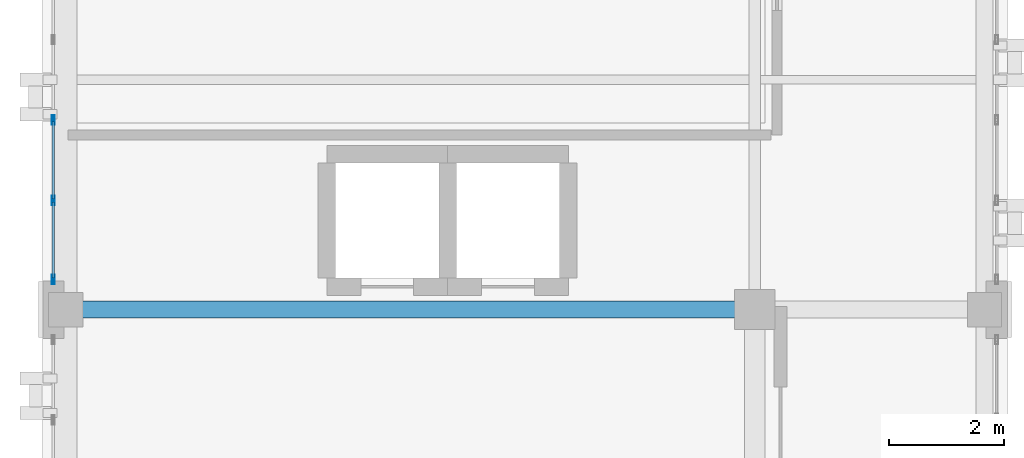
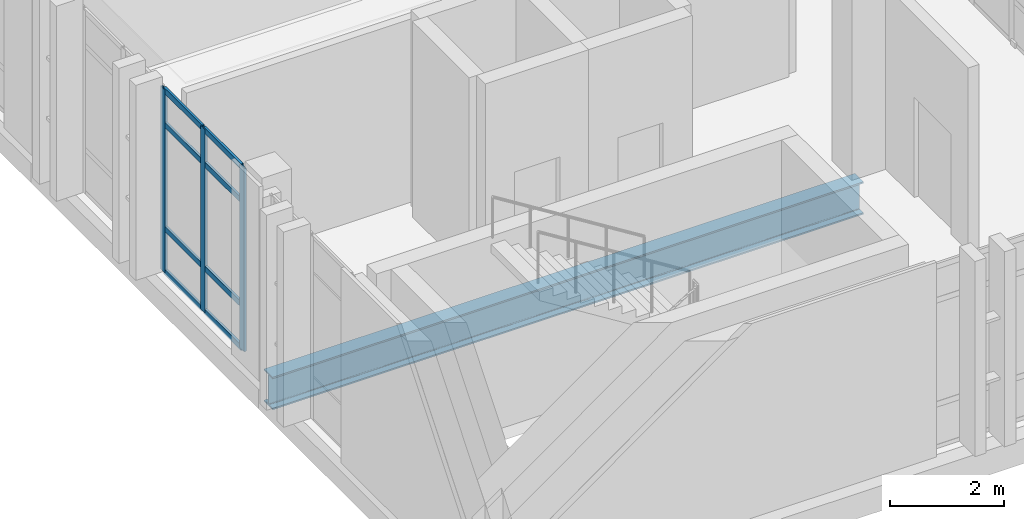
# One storey, part 4 of 77: 11 members, 1 beam, 1 element without a shape of its own.
"""IFC4 building model written with IfcOpenShell, lengths in metres."""

from ifc_helpers import new_model, si_unit, direction, frame, origin, origin_2d, place, context, subcontext, project, spatial, hollow_rectangle, i_section, extrude, material, layer, layer_set, material_profile, profile_set, type_object, element, aggregate, save


model = new_model("IFC4")

# Units and contexts
model_context = context("Model", 3, precision=1e-05, world=origin(), true_north=direction((0.0, 1.0)))
body_context = subcontext(model_context, "Body", "Model", "MODEL_VIEW")
ifc_project = project(units=[si_unit("LENGTHUNIT", "METRE"), si_unit("AREAUNIT", "SQUARE_METRE"), si_unit("VOLUMEUNIT", "CUBIC_METRE"), si_unit("PLANEANGLEUNIT", "RADIAN"), si_unit("MASSUNIT", "GRAM", prefix="KILO")], contexts=[model_context])

# Site, building, storey
site_placement = place(None, origin())
site = spatial("IfcSite", under=ifc_project, at=site_placement, CompositionType="ELEMENT")
building_placement = place(site_placement, origin())
building = spatial("IfcBuilding", under=site, at=building_placement, Name="Qalavern Law Courts", CompositionType="ELEMENT")
storey_placement = place(building_placement, frame((0.0, 0.0, 27.0)))
storey = spatial("IfcBuildingStorey", under=building, at=storey_placement, Name="L06", CompositionType="ELEMENT", Elevation=27.0)

# Curtain wall, members
ifc_material_1 = material(Name="Anodised aluminium and insulated glazing", Category="aluminium")
ifc_layer = layer(ifc_material_1, 0.159912109375)
ifc_layer_set = layer_set([ifc_layer], Name="Anodised aluminium and insulated glazing")
curtain_wall_type = type_object("IfcCurtainWallType", Name="ENV-CW-CHAMB", PredefinedType="USERDEFINED", material=ifc_layer_set)
curtain_wall_placement = place(storey_placement, origin())
curtain_wall = element("IfcCurtainWall", 1, at=curtain_wall_placement, inside=storey, type_object=curtain_wall_type, Name="V3 unitised curtain wall L06 west 4", ObjectType="UNITISED CURTAIN WALL", PredefinedType="USERDEFINED")
ifc_material_2 = material(Name="Anodised aluminium", Category="aluminium")
ifc_material_profile_1 = material_profile(ifc_material_2, hollow_rectangle(XDim=0.048095703125, YDim=0.159912109375, WallThickness=0.00390625, at=origin_2d()), Name="ALU MULLION 48x160")
ifc_profile_set_1 = profile_set([ifc_material_profile_1], Name="Anodised aluminium")
member_type_1 = type_object("IfcMemberType", Name="ENV-CWM-48x160", PredefinedType="MULLION", material=ifc_profile_set_1)
member_1_placement = place(storey_placement, frame((2.18505859375, 52.699951171875, 0.0), z_axis=(0.0, 0.0, 1.0), x_axis=(1.0, 0.0, 0.0)))
member_1 = element("IfcMember", 2, at=member_1_placement, type_object=member_type_1, Name="CW-04 mullion 4", PredefinedType="MULLION", context=body_context, shape_type="SweptSolid", body=[
    extrude(hollow_rectangle(XDim=0.048095703125, YDim=0.159912109375, WallThickness=0.00390625, at=origin_2d()), origin(), (0.0, 0.0, 1.0), 3.93505859375),
])
member_2_placement = place(storey_placement, frame((2.18505859375, 51.300048828125, 0.0), z_axis=(0.0, 0.0, 1.0), x_axis=(1.0, 0.0, 0.0)))
member_2 = element("IfcMember", 3, at=member_2_placement, type_object=member_type_1, Name="CW-04 mullion 5", PredefinedType="MULLION", context=body_context, shape_type="SweptSolid", body=[
    extrude(hollow_rectangle(XDim=0.048095703125, YDim=0.159912109375, WallThickness=0.00390625, at=origin_2d()), origin(), (0.0, 0.0, 1.0), 3.93505859375),
])
member_3_placement = place(storey_placement, frame((2.18505859375, 49.924072265625, 0.0), z_axis=(0.0, 0.0, 1.0), x_axis=(1.0, 0.0, 0.0)))
member_3 = element("IfcMember", 4, at=member_3_placement, type_object=member_type_1, Name="CW-04 mullion 6", PredefinedType="MULLION", context=body_context, shape_type="SweptSolid", body=[
    extrude(hollow_rectangle(XDim=0.048095703125, YDim=0.159912109375, WallThickness=0.00390625, at=origin_2d()), origin(), (0.0, 0.0, 1.0), 3.93505859375),
])
ifc_material_profile_2 = material_profile(ifc_material_2, hollow_rectangle(XDim=0.048095703125, YDim=0.1201171875, WallThickness=0.00390625, at=origin_2d()), Name="ALU TRANSOM 48x120")
ifc_profile_set_2 = profile_set([ifc_material_profile_2], Name="Anodised aluminium")
member_type_2 = type_object("IfcMemberType", Name="ENV-CWT-48x120", PredefinedType="USERDEFINED", material=ifc_profile_set_2)
member_4_placement = place(storey_placement, frame((2.18505859375, 52.676025390625, 0.02392578125), z_axis=(0.0, -1.0, 0.0), x_axis=(1.0, 0.0, 0.0)))
member_4 = element("IfcMember", 5, at=member_4_placement, type_object=member_type_2, Name="CW-04 transom 4.1", ObjectType="TRANSOM", PredefinedType="USERDEFINED", context=body_context, shape_type="SweptSolid", body=[
    extrude(hollow_rectangle(XDim=0.048095703125, YDim=0.1201171875, WallThickness=0.00390625, at=origin_2d()), origin(), (0.0, 0.0, 1.0), 1.35205078125),
])
member_5_placement = place(storey_placement, frame((2.18505859375, 52.676025390625, 0.949951171875), z_axis=(0.0, -1.0, 0.0), x_axis=(1.0, 0.0, 0.0)))
member_5 = element("IfcMember", 6, at=member_5_placement, type_object=member_type_2, Name="CW-04 transom 4.2", ObjectType="TRANSOM", PredefinedType="USERDEFINED", context=body_context, shape_type="SweptSolid", body=[
    extrude(hollow_rectangle(XDim=0.048095703125, YDim=0.1201171875, WallThickness=0.00390625, at=origin_2d()), origin(), (0.0, 0.0, 1.0), 1.35205078125),
])
member_6_placement = place(storey_placement, frame((2.18505859375, 52.676025390625, 3.18505859375), z_axis=(0.0, -1.0, 0.0), x_axis=(1.0, 0.0, 0.0)))
member_6 = element("IfcMember", 7, at=member_6_placement, type_object=member_type_2, Name="CW-04 transom 4.3", ObjectType="TRANSOM", PredefinedType="USERDEFINED", context=body_context, shape_type="SweptSolid", body=[
    extrude(hollow_rectangle(XDim=0.048095703125, YDim=0.1201171875, WallThickness=0.00390625, at=origin_2d()), origin(), (0.0, 0.0, 1.0), 1.35205078125),
])
member_7_placement = place(storey_placement, frame((2.18505859375, 52.676025390625, 3.910888671875), z_axis=(0.0, -1.0, 0.0), x_axis=(1.0, 0.0, 0.0)))
member_7 = element("IfcMember", 8, at=member_7_placement, type_object=member_type_2, Name="CW-04 transom 4.4", ObjectType="TRANSOM", PredefinedType="USERDEFINED", context=body_context, shape_type="SweptSolid", body=[
    extrude(hollow_rectangle(XDim=0.048095703125, YDim=0.1201171875, WallThickness=0.00390625, at=origin_2d()), origin(), (0.0, 0.0, 1.0), 1.35205078125),
])
member_8_placement = place(storey_placement, frame((2.18505859375, 51.27587890625, 0.02392578125), z_axis=(0.0, -1.0, 0.0), x_axis=(1.0, 0.0, 0.0)))
member_8 = element("IfcMember", 9, at=member_8_placement, type_object=member_type_2, Name="CW-04 transom 5.1", ObjectType="TRANSOM", PredefinedType="USERDEFINED", context=body_context, shape_type="SweptSolid", body=[
    extrude(hollow_rectangle(XDim=0.048095703125, YDim=0.1201171875, WallThickness=0.00390625, at=origin_2d()), origin(), (0.0, 0.0, 1.0), 1.327880859375),
])
member_9_placement = place(storey_placement, frame((2.18505859375, 51.27587890625, 0.949951171875), z_axis=(0.0, -1.0, 0.0), x_axis=(1.0, 0.0, 0.0)))
member_9 = element("IfcMember", 10, at=member_9_placement, type_object=member_type_2, Name="CW-04 transom 5.2", ObjectType="TRANSOM", PredefinedType="USERDEFINED", context=body_context, shape_type="SweptSolid", body=[
    extrude(hollow_rectangle(XDim=0.048095703125, YDim=0.1201171875, WallThickness=0.00390625, at=origin_2d()), origin(), (0.0, 0.0, 1.0), 1.327880859375),
])
member_10_placement = place(storey_placement, frame((2.18505859375, 51.27587890625, 3.18505859375), z_axis=(0.0, -1.0, 0.0), x_axis=(1.0, 0.0, 0.0)))
member_10 = element("IfcMember", 11, at=member_10_placement, type_object=member_type_2, Name="CW-04 transom 5.3", ObjectType="TRANSOM", PredefinedType="USERDEFINED", context=body_context, shape_type="SweptSolid", body=[
    extrude(hollow_rectangle(XDim=0.048095703125, YDim=0.1201171875, WallThickness=0.00390625, at=origin_2d()), origin(), (0.0, 0.0, 1.0), 1.327880859375),
])
member_11_placement = place(storey_placement, frame((2.18505859375, 51.27587890625, 3.910888671875), z_axis=(0.0, -1.0, 0.0), x_axis=(1.0, 0.0, 0.0)))
member_11 = element("IfcMember", 12, at=member_11_placement, type_object=member_type_2, Name="CW-04 transom 5.4", ObjectType="TRANSOM", PredefinedType="USERDEFINED", context=body_context, shape_type="SweptSolid", body=[
    extrude(hollow_rectangle(XDim=0.048095703125, YDim=0.1201171875, WallThickness=0.00390625, at=origin_2d()), origin(), (0.0, 0.0, 1.0), 1.327880859375),
])
aggregate(curtain_wall, [member_1, member_2, member_3, member_4, member_5, member_6, member_7, member_8, member_9, member_10, member_11])

# Beam
ifc_material_3 = material(Name="Steel S355", Category="steel")
ifc_material_profile_3 = material_profile(ifc_material_3, i_section(OverallWidth=0.300048828125, OverallDepth=0.699951171875, WebThickness=0.01708984375, FlangeThickness=0.031982421875, FilletRadius=0.027099609375, at=origin_2d()), Name="HEB 700")
ifc_profile_set_3 = profile_set([ifc_material_profile_3], Name="Steel S355")
beam_type = type_object("IfcBeamType", Name="STR-BM-HEB700", PredefinedType="BEAM", material=ifc_profile_set_3)
beam_placement = place(storey_placement, frame((2.39990234375, 49.39990234375, -0.6201171875), z_axis=(1.0, 0.0, 0.0), x_axis=(0.0, 1.0, 0.0)))
element("IfcBeam", 13, at=beam_placement, inside=storey, type_object=beam_type, Name="V3 X-beam 2-1 L06", PredefinedType="BEAM", context=body_context, shape_type="SweptSolid", body=[
    extrude(i_section(OverallWidth=0.300048828125, OverallDepth=0.699951171875, WebThickness=0.01708984375, FlangeThickness=0.031982421875, FilletRadius=0.027099609375, at=origin_2d()), origin(), (0.0, 0.0, 1.0), 12.0),
])

save(model, "model.ifc")
